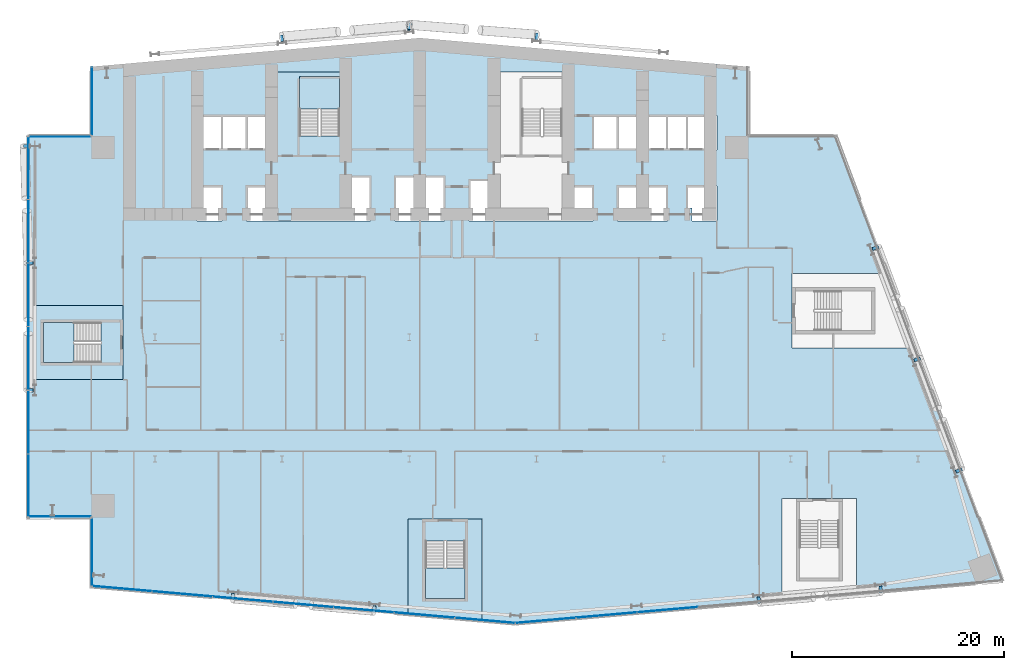
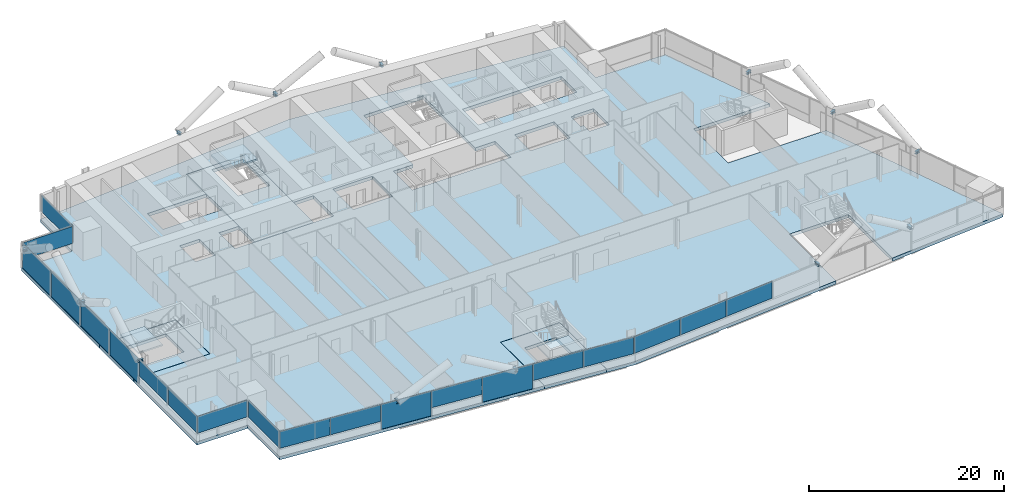
# One storey, part 11 of 27: 20 plates, 14 members, 7 slabs, 10 elements without a shape of their own.
"""IFC4 building model written with IfcOpenShell, lengths in metres."""

from ifc_helpers import new_model, si_unit, direction, frame, origin, origin_2d, place, context, subcontext, project, spatial, polyline, rectangle, i_section, outline, extrude, material, layer, layer_set, material_profile, profile_set, type_object, element, aggregate, save


model = new_model("IFC4")

# Units and contexts
model_context = context("Model", 3, precision=1e-05, world=origin(), true_north=direction((0.0, 1.0)))
body_context = subcontext(model_context, "Body", "Model", "MODEL_VIEW")
ifc_project = project(units=[si_unit("LENGTHUNIT", "METRE"), si_unit("AREAUNIT", "SQUARE_METRE"), si_unit("VOLUMEUNIT", "CUBIC_METRE"), si_unit("PLANEANGLEUNIT", "RADIAN"), si_unit("MASSUNIT", "GRAM", prefix="KILO")], contexts=[model_context])

# Site, building, storey
site_placement = place(None, origin())
site = spatial("IfcSite", under=ifc_project, at=site_placement, CompositionType="ELEMENT")
building_placement = place(site_placement, origin())
building = spatial("IfcBuilding", under=site, at=building_placement, Name="Wharfspan Tower", CompositionType="ELEMENT")
storey_placement = place(building_placement, frame((0.0, 0.0, 45.100098)))
storey = spatial("IfcBuildingStorey", under=building, at=storey_placement, Name="L07", CompositionType="ELEMENT", Elevation=45.100098)

# Members
ifc_material_1 = material(Name="Steel S355J2", Category="steel")
ifc_material_profile = material_profile(ifc_material_1, i_section(OverallWidth=0.300049, OverallDepth=0.300049, WebThickness=0.010986, FlangeThickness=0.019043, FilletRadius=0.0271, at=origin_2d()))
ifc_profile_set = profile_set([ifc_material_profile], Name="Steel S355J2")
member_type = type_object("IfcMemberType", Name="Brace node stub HEB 300", PredefinedType="STRUT", material=ifc_profile_set)
for number, where, z_axis, x_axis, name in (
    (1, (19.37793, -1.181396, 2.899902), (-0.087272, -0.996185, 0.0), (0.996185, -0.087272, 0.0), "Brace node stub L08 S1 A"),
    (2, (32.711182, -2.3479, 2.899902), (-0.086873, -0.996219, 0.0), (0.996219, -0.086873, 0.0), "Brace node stub L08 S1 B"),
    (3, (68.955322, -1.502197, 2.899902), (0.087272, -0.996185, 0.0), (0.996185, 0.087272, 0.0), "Brace node stub L08 S2 A"),
    (4, (80.455322, -0.496094, 2.899902), (0.087272, -0.996185, 0.0), (0.996185, 0.087272, 0.0), "Brace node stub L08 S2 B"),
    (5, (0.511963, 30.0, 2.899902), (-1.0, 0.0, 0.0), (0.0, -1.0, 0.0), "Brace node stub L08 W A"),
    (6, (0.511963, 18.0, 2.899902), (-1.0, 0.0, 0.0), (0.0, -1.0, 0.0), "Brace node stub L08 W B"),
    (7, (0.183838, 41.03418, 2.899902), (-1.0, 0.0, 0.0), (0.0, -1.0, 0.0), "Brace node stub L08 W A"),
    (8, (87.583008, 10.320312, 2.899902), (0.936329, 0.351123, 0.0), (-0.351123, 0.936329, 0.0), "Brace node stub L08 E A"),
    (9, (83.645508, 20.820312, 2.899902), (0.936329, 0.351123, 0.0), (-0.351123, 0.936329, 0.0), "Brace node stub L08 E B"),
    (10, (79.708008, 31.320312, 2.899902), (0.936329, 0.351123, 0.0), (-0.351123, 0.936329, 0.0), "Brace node stub L08 E B"),
    (11, (23.987061, 50.907715, 2.899902), (-0.087272, 0.996185, 0.0), (-0.996185, -0.087272, 0.0), "Brace node stub L08 N1 A"),
    (12, (35.987061, 51.95752, 2.899902), (-0.087272, 0.996185, 0.0), (-0.996185, -0.087272, 0.0), "Brace node stub L08 N1 B"),
    (13, (36.015381, 52.020508, 2.899902), (0.072819, 0.997345, 0.0), (-0.997345, 0.072819, 0.0), "Brace node stub L08 N1 A"),
):
    element("IfcMember", number, at=place(storey_placement, frame(where, z_axis=z_axis, x_axis=x_axis)), inside=storey, type_object=member_type, Name=name, PredefinedType="STRUT", context=body_context, shape_type="SweptSolid", body=[
        extrude(i_section(OverallWidth=0.300049, OverallDepth=0.300049, WebThickness=0.010986, FlangeThickness=0.019043, FilletRadius=0.0271, at=origin_2d()), origin(), (0.0, 0.0, 1.0), 0.606934),
    ])
member_placement = place(storey_placement, frame((48.01123, 51.088623, 2.899902), z_axis=(0.07279, 0.997347, 0.0), x_axis=(-0.997347, 0.07279, 0.0)))
element("IfcMember", 14, at=member_placement, inside=storey, type_object=member_type, Name="Brace node stub L08 N1 B", PredefinedType="STRUT", context=body_context, shape_type="SweptSolid", body=[
    extrude(i_section(OverallWidth=0.300049, OverallDepth=0.300049, WebThickness=0.010986, FlangeThickness=0.019043, FilletRadius=0.0271, at=origin_2d()), origin(), (0.0, 0.0, 1.0), 0.607178),
])

# Curtain wall, plates
ifc_material_2 = material(Name="Aluminium 6063-T6", Category="aluminium")
curtain_wall_type_1 = type_object("IfcCurtainWallType", Name="CURTAIN WALL FACETED FRONT", PredefinedType="NOTDEFINED", material=ifc_material_2)
curtain_wall_1_placement = place(storey_placement, origin())
curtain_wall_1 = element("IfcCurtainWall", 15, at=curtain_wall_1_placement, inside=storey, type_object=curtain_wall_type_1, Name="Curtain wall S1", PredefinedType="NOTDEFINED")
ifc_material_3 = material(Name="Glass clear low-iron double glazing", Category="glass")
ifc_layer_1 = layer(ifc_material_3, 0.040039)
ifc_layer_set_1 = layer_set([ifc_layer_1], Name="Glass clear low-iron double glazing")
plate_type_1 = type_object("IfcPlateType", Name="GLASS PANEL FACETED FRONT 40", PredefinedType="CURTAIN_PANEL", material=ifc_layer_set_1)
plate_1_placement = place(storey_placement, frame((8.877197, -0.716553, 0.999756), z_axis=(0.0, 0.0, 1.0), x_axis=(0.996197, -0.087156, 0.0)))
plate_1 = element("IfcPlate", 16, at=plate_1_placement, type_object=plate_type_1, Name="Curtain wall S1 panel 1", PredefinedType="CURTAIN_PANEL", context=body_context, shape_type="SweptSolid", body=[
    extrude(rectangle(XDim=5.645996, YDim=0.040039, at=origin_2d()), origin(), (0.0, 0.0, 1.0), 2.120117),
])
plate_2_placement = place(storey_placement, frame((14.57666, -1.215088, 0.999756), z_axis=(0.0, 0.0, 1.0), x_axis=(0.996197, -0.087156, 0.0)))
plate_2 = element("IfcPlate", 17, at=plate_2_placement, type_object=plate_type_1, Name="Curtain wall S1 panel 2", PredefinedType="CURTAIN_PANEL", context=body_context, shape_type="SweptSolid", body=[
    extrude(rectangle(XDim=5.676025, YDim=0.040039, at=origin_2d()), origin(), (0.0, 0.0, 1.0), 2.120117),
])
plate_3_placement = place(storey_placement, frame((26.005127, -2.214844, 0.999756), z_axis=(0.0, 0.0, 1.0), x_axis=(0.996197, -0.087156, 0.0)))
plate_3 = element("IfcPlate", 18, at=plate_3_placement, type_object=plate_type_1, Name="Curtain wall S1 panel 4", PredefinedType="CURTAIN_PANEL", context=body_context, shape_type="SweptSolid", body=[
    extrude(rectangle(XDim=5.676025, YDim=0.040039, at=origin_2d()), origin(), (0.0, 0.0, 1.0), 2.120117),
])
plate_4_placement = place(storey_placement, frame((37.433838, -3.214844, 0.999756), z_axis=(0.0, 0.0, 1.0), x_axis=(0.996197, -0.087156, 0.0)))
plate_4 = element("IfcPlate", 19, at=plate_4_placement, type_object=plate_type_1, Name="Curtain wall S1 panel 6", PredefinedType="CURTAIN_PANEL", context=body_context, shape_type="SweptSolid", body=[
    extrude(rectangle(XDim=5.676025, YDim=0.040039, at=origin_2d()), origin(), (0.0, 0.0, 1.0), 2.120117),
])
plate_5_placement = place(storey_placement, frame((43.133057, -3.713379, 0.999756), z_axis=(0.0, 0.0, 1.0), x_axis=(0.996197, -0.087156, 0.0)))
plate_5 = element("IfcPlate", 20, at=plate_5_placement, type_object=plate_type_1, Name="Curtain wall S1 panel 7", PredefinedType="CURTAIN_PANEL", context=body_context, shape_type="SweptSolid", body=[
    extrude(rectangle(XDim=5.645996, YDim=0.040039, at=origin_2d()), origin(), (0.0, 0.0, 1.0), 2.120117),
])

curtain_wall_2_placement = place(storey_placement, origin())
curtain_wall_2 = element("IfcCurtainWall", 21, at=curtain_wall_2_placement, inside=storey, type_object=curtain_wall_type_1, Name="Curtain wall S2", PredefinedType="NOTDEFINED")
plate_6_placement = place(storey_placement, frame((48.884766, -3.711914, 0.999756), z_axis=(0.0, 0.0, 1.0), x_axis=(0.996197, 0.087156, 0.0)))
plate_6 = element("IfcPlate", 22, at=plate_6_placement, type_object=plate_type_1, Name="Curtain wall S2 panel 1", PredefinedType="CURTAIN_PANEL", context=body_context, shape_type="SweptSolid", body=[
    extrude(rectangle(XDim=5.681885, YDim=0.040039, at=origin_2d()), origin(), (0.0, 0.0, 1.0), 2.120117),
])
plate_7_placement = place(storey_placement, frame((54.619873, -3.210205, 0.999756), z_axis=(0.0, 0.0, 1.0), x_axis=(0.996197, 0.087156, 0.0)))
plate_7 = element("IfcPlate", 23, at=plate_7_placement, type_object=plate_type_1, Name="Curtain wall S2 panel 2", PredefinedType="CURTAIN_PANEL", context=body_context, shape_type="SweptSolid", body=[
    extrude(rectangle(XDim=5.711914, YDim=0.040039, at=origin_2d()), origin(), (0.0, 0.0, 1.0), 2.120117),
])
plate_8_placement = place(storey_placement, frame((60.369873, -2.707031, 0.999756), z_axis=(0.0, 0.0, 1.0), x_axis=(0.996197, 0.087156, 0.0)))
plate_8 = element("IfcPlate", 24, at=plate_8_placement, type_object=plate_type_1, Name="Curtain wall S2 panel 3", PredefinedType="CURTAIN_PANEL", context=body_context, shape_type="SweptSolid", body=[
    extrude(rectangle(XDim=5.711914, YDim=0.040039, at=origin_2d()), origin(), (0.0, 0.0, 1.0), 2.120117),
])
aggregate(curtain_wall_2, [plate_6, plate_7, plate_8])

# Curtain wall, plate
curtain_wall_type_2 = type_object("IfcCurtainWallType", Name="CURTAIN WALL PROW AND END", PredefinedType="NOTDEFINED", material=ifc_material_2)
curtain_wall_3_placement = place(storey_placement, origin())
curtain_wall_3 = element("IfcCurtainWall", 25, at=curtain_wall_3_placement, inside=storey, type_object=curtain_wall_type_2, Name="Curtain wall NRW-V", PredefinedType="NOTDEFINED")
ifc_layer_2 = layer(ifc_material_3, 0.040039)
ifc_layer_set_2 = layer_set([ifc_layer_2], Name="Glass clear low-iron double glazing")
plate_type_2 = type_object("IfcPlateType", Name="GLASS PANEL PROW AND END 40", PredefinedType="CURTAIN_PANEL", material=ifc_layer_set_2)
plate_9_placement = place(storey_placement, frame((6.080078, 45.262451, 0.999756), z_axis=(0.0, 0.0, 1.0), x_axis=(0.0, -1.0, 0.0)))
plate_9 = element("IfcPlate", 26, at=plate_9_placement, type_object=plate_type_2, Name="Curtain wall NRW-V panel 1", PredefinedType="CURTAIN_PANEL", context=body_context, shape_type="SweptSolid", body=[
    extrude(rectangle(XDim=6.405029, YDim=0.040039, at=origin_2d()), origin(), (0.0, 0.0, 1.0), 2.120117),
])
aggregate(curtain_wall_3, [plate_9])

curtain_wall_4_placement = place(storey_placement, origin())
curtain_wall_4 = element("IfcCurtainWall", 27, at=curtain_wall_4_placement, inside=storey, type_object=curtain_wall_type_2, Name="Curtain wall NRW-H", PredefinedType="NOTDEFINED")
plate_10_placement = place(storey_placement, frame((3.0, 41.919922, 0.999756), z_axis=(0.0, 0.0, 1.0), x_axis=(-1.0, 0.0, 0.0)))
plate_10 = element("IfcPlate", 28, at=plate_10_placement, type_object=plate_type_2, Name="Curtain wall NRW-H panel 1", PredefinedType="CURTAIN_PANEL", context=body_context, shape_type="SweptSolid", body=[
    extrude(rectangle(XDim=5.879883, YDim=0.040039, at=origin_2d()), origin(), (0.0, 0.0, 1.0), 2.120117),
])
aggregate(curtain_wall_4, [plate_10])

# Curtain wall, plates
curtain_wall_5_placement = place(storey_placement, origin())
curtain_wall_5 = element("IfcCurtainWall", 29, at=curtain_wall_5_placement, inside=storey, type_object=curtain_wall_type_2, Name="Curtain wall W", PredefinedType="NOTDEFINED")
plate_11_placement = place(storey_placement, frame((0.080078, 15.0, 0.999756), z_axis=(0.0, 0.0, 1.0), x_axis=(0.0, -1.0, 0.0)))
plate_11 = element("IfcPlate", 30, at=plate_11_placement, type_object=plate_type_2, Name="Curtain wall W panel 5", PredefinedType="CURTAIN_PANEL", context=body_context, shape_type="SweptSolid", body=[
    extrude(rectangle(XDim=5.939941, YDim=0.040039, at=origin_2d()), origin(), (0.0, 0.0, 1.0), 2.120117),
])
plate_12_placement = place(storey_placement, frame((0.080078, 9.014893, 0.999756), z_axis=(0.0, 0.0, 1.0), x_axis=(0.0, -1.0, 0.0)))
plate_12 = element("IfcPlate", 31, at=plate_12_placement, type_object=plate_type_2, Name="Curtain wall W panel 6", PredefinedType="CURTAIN_PANEL", context=body_context, shape_type="SweptSolid", body=[
    extrude(rectangle(XDim=5.909912, YDim=0.040039, at=origin_2d()), origin(), (0.0, 0.0, 1.0), 2.120117),
])

# Curtain wall, plate
curtain_wall_6_placement = place(storey_placement, origin())
curtain_wall_6 = element("IfcCurtainWall", 32, at=curtain_wall_6_placement, inside=storey, type_object=curtain_wall_type_2, Name="Curtain wall NFW-H", PredefinedType="NOTDEFINED")
plate_13_placement = place(storey_placement, frame((3.0, 6.080078, 0.999756), z_axis=(0.0, 0.0, 1.0), x_axis=(1.0, 0.0, 0.0)))
plate_13 = element("IfcPlate", 33, at=plate_13_placement, type_object=plate_type_2, Name="Curtain wall NFW-H panel 1", PredefinedType="CURTAIN_PANEL", context=body_context, shape_type="SweptSolid", body=[
    extrude(rectangle(XDim=5.879883, YDim=0.040039, at=origin_2d()), origin(), (0.0, 0.0, 1.0), 2.120117),
])
aggregate(curtain_wall_6, [plate_13])

curtain_wall_7_placement = place(storey_placement, origin())
curtain_wall_7 = element("IfcCurtainWall", 34, at=curtain_wall_7_placement, inside=storey, type_object=curtain_wall_type_2, Name="Curtain wall NFW-V", PredefinedType="NOTDEFINED")
plate_14_placement = place(storey_placement, frame((6.080078, 2.737549, 0.999756), z_axis=(0.0, 0.0, 1.0), x_axis=(0.0, -1.0, 0.0)))
plate_14 = element("IfcPlate", 35, at=plate_14_placement, type_object=plate_type_2, Name="Curtain wall NFW-V panel 1", PredefinedType="CURTAIN_PANEL", context=body_context, shape_type="SweptSolid", body=[
    extrude(rectangle(XDim=6.405029, YDim=0.040039, at=origin_2d()), origin(), (0.0, 0.0, 1.0), 2.120117),
])
aggregate(curtain_wall_7, [plate_14])

# Plate
ifc_material_4 = material(Name="Aluminium composite opaque insulated panel", Category="aluminium")
ifc_layer_3 = layer(ifc_material_4, 0.040039)
ifc_layer_set_3 = layer_set([ifc_layer_3], Name="Aluminium composite opaque insulated panel")
plate_type_3 = type_object("IfcPlateType", Name="INFILL PANEL FACETED FRONT OPAQUE 40", PredefinedType="SHEET", material=ifc_layer_set_3)
plate_15_placement = place(storey_placement, frame((20.291016, -1.715088, -0.000244), z_axis=(0.0, 0.0, 1.0), x_axis=(0.996197, -0.087156, 0.0)))
plate_15 = element("IfcPlate", 36, at=plate_15_placement, type_object=plate_type_3, Name="Curtain wall S1 panel 3", PredefinedType="SHEET", context=body_context, shape_type="SweptSolid", body=[
    extrude(rectangle(XDim=5.676025, YDim=0.040039, at=origin_2d()), origin(), (0.0, 0.0, 1.0), 3.120117),
])

plate_16_placement = place(storey_placement, frame((31.719482, -2.714844, -0.000244), z_axis=(0.0, 0.0, 1.0), x_axis=(0.996197, -0.087156, 0.0)))
plate_16 = element("IfcPlate", 37, at=plate_16_placement, type_object=plate_type_3, Name="Curtain wall S1 panel 5", PredefinedType="SHEET", context=body_context, shape_type="SweptSolid", body=[
    extrude(rectangle(XDim=5.676025, YDim=0.040039, at=origin_2d()), origin(), (0.0, 0.0, 1.0), 3.120117),
])

aggregate(curtain_wall_1, [plate_1, plate_2, plate_15, plate_3, plate_16, plate_4, plate_5])

ifc_layer_4 = layer(ifc_material_4, 0.040039)
ifc_layer_set_4 = layer_set([ifc_layer_4], Name="Aluminium composite opaque insulated panel")
plate_type_4 = type_object("IfcPlateType", Name="INFILL PANEL PROW AND END OPAQUE 40", PredefinedType="SHEET", material=ifc_layer_set_4)
plate_17_placement = place(storey_placement, frame((0.080078, 38.985107, -0.000244), z_axis=(0.0, 0.0, 1.0), x_axis=(0.0, -1.0, 0.0)))
plate_17 = element("IfcPlate", 38, at=plate_17_placement, type_object=plate_type_4, Name="Curtain wall W panel 1", PredefinedType="SHEET", context=body_context, shape_type="SweptSolid", body=[
    extrude(rectangle(XDim=5.909912, YDim=0.040039, at=origin_2d()), origin(), (0.0, 0.0, 1.0), 3.120117),
])

plate_18_placement = place(storey_placement, frame((0.080078, 33.0, -0.000244), z_axis=(0.0, 0.0, 1.0), x_axis=(0.0, -1.0, 0.0)))
plate_18 = element("IfcPlate", 39, at=plate_18_placement, type_object=plate_type_4, Name="Curtain wall W panel 2", PredefinedType="SHEET", context=body_context, shape_type="SweptSolid", body=[
    extrude(rectangle(XDim=5.939941, YDim=0.040039, at=origin_2d()), origin(), (0.0, 0.0, 1.0), 3.120117),
])

plate_19_placement = place(storey_placement, frame((0.080078, 27.0, -0.000244), z_axis=(0.0, 0.0, 1.0), x_axis=(0.0, -1.0, 0.0)))
plate_19 = element("IfcPlate", 40, at=plate_19_placement, type_object=plate_type_4, Name="Curtain wall W panel 3", PredefinedType="SHEET", context=body_context, shape_type="SweptSolid", body=[
    extrude(rectangle(XDim=5.939941, YDim=0.040039, at=origin_2d()), origin(), (0.0, 0.0, 1.0), 3.120117),
])

plate_20_placement = place(storey_placement, frame((0.080078, 21.0, -0.000244), z_axis=(0.0, 0.0, 1.0), x_axis=(0.0, -1.0, 0.0)))
plate_20 = element("IfcPlate", 41, at=plate_20_placement, type_object=plate_type_4, Name="Curtain wall W panel 4", PredefinedType="SHEET", context=body_context, shape_type="SweptSolid", body=[
    extrude(rectangle(XDim=5.939941, YDim=0.040039, at=origin_2d()), origin(), (0.0, 0.0, 1.0), 3.120117),
])

aggregate(curtain_wall_5, [plate_17, plate_18, plate_19, plate_20, plate_11, plate_12])

# Slabs
ifc_material_5 = material(Name="Concrete C40/50", Category="concrete")
ifc_layer_5 = layer(ifc_material_5, 0.399902)
ifc_layer_set_5 = layer_set([ifc_layer_5], Name="Concrete C40/50")
slab_type_1 = type_object("IfcSlabType", Name="Post-tensioned flat slab 400", PredefinedType="FLOOR", material=ifc_layer_set_5)
slab_1_placement = place(storey_placement, frame((0.0, 0.0, -0.400146)))
element("IfcSlab", 42, at=slab_1_placement, inside=storey, type_object=slab_type_1, Name="Floor slab L07", PredefinedType="FLOOR", context=body_context, shape_type="SweptSolid", body=[
    extrude(outline(polyline([(35.873291, -3.138428), (35.873291, 5.870605), (42.893311, 5.870605), (42.893311, -3.752686), (46.0, -4.024414), (71.182617, -1.821289), (71.182617, 7.802002), (78.202393, 7.802002), (78.202393, -1.207031), (92.0, 0.0), (83.753662, 21.98999), (72.11499, 21.98999), (72.11499, 29.01001), (81.121338, 29.01001), (76.25, 42.0), (68.0, 42.0), (68.0, 48.524902), (37.0, 51.237061), (6.0, 48.524902), (6.0, 42.0), (0.0, 42.0), (0.0, 26.01001), (9.01001, 26.01001), (9.01001, 18.98999), (0.0, 18.98999), (0.0, 6.0), (6.0, 6.0), (6.0, -0.524902), (35.873291, -3.138428)]), holes=[polyline([(62.290039, 37.159912), (62.656738, 37.159912), (62.656738, 37.26001), (65.01001, 37.26001), (65.01001, 33.98999), (62.656738, 33.98999), (62.656738, 35.189941), (62.290039, 35.189941), (62.290039, 37.159912)]), polyline([(65.01001, 43.909912), (65.01001, 40.689941), (53.323242, 40.689941), (53.323242, 43.909912), (65.01001, 43.909912)]), polyline([(55.656738, 33.98999), (55.656738, 37.26001), (60.343262, 37.26001), (60.343262, 33.98999), (55.656738, 33.98999)]), polyline([(43.98999, 37.860107), (43.98999, 48.01001), (51.01001, 48.01001), (51.01001, 37.26001), (53.343262, 37.26001), (53.343262, 33.98999), (41.656738, 33.98999), (41.656738, 37.860107), (43.98999, 37.860107)]), polyline([(34.656738, 33.98999), (34.656738, 38.159912), (39.343262, 38.159912), (39.343262, 33.98999), (34.656738, 33.98999)]), polyline([(15.98999, 40.689941), (15.98999, 43.909912), (20.656738, 43.909912), (20.676758, 43.909912), (22.98999, 43.909912), (22.98999, 48.01001), (30.01001, 48.01001), (30.01001, 38.159912), (32.343262, 38.159912), (32.343262, 33.98999), (20.656738, 33.98999), (20.656738, 37.26001), (22.98999, 37.26001), (22.98999, 40.689941), (20.676758, 40.689941), (20.656738, 40.689941), (15.98999, 40.689941)]), polyline([(18.343262, 37.26001), (18.343262, 33.98999), (15.98999, 33.98999), (15.98999, 37.26001), (18.343262, 37.26001)])]), origin(), (0.0, 0.0, 1.0), 0.400146),
])
slab_2_placement = place(storey_placement, frame((0.0, 0.0, -0.400146)))
element("IfcSlab", 43, at=slab_2_placement, inside=storey, type_object=slab_type_1, Name="Core floor slab L07 part 1", PredefinedType="FLOOR", context=body_context, shape_type="SweptSolid", body=[
    extrude(outline(polyline([(9.0, 20.324951), (9.0, 24.675049), (9.0, 26.0), (0.0, 26.0), (0.0, 19.0), (9.0, 19.0), (9.0, 20.324951)]), holes=[polyline([(6.9021, 20.625), (6.9021, 20.624756), (6.9021, 20.624512), (6.901855, 20.624512), (6.901855, 20.624268), (6.901855, 20.624023), (6.901611, 20.623779), (6.901611, 20.623779), (6.901367, 20.623535), (6.901367, 20.623535), (6.901123, 20.623291), (6.900879, 20.623291), (6.900879, 20.623291), (6.900635, 20.623047), (6.900391, 20.623047), (6.900146, 20.623047), (6.899902, 20.623047), (1.5, 20.623047), (1.499756, 20.623047), (1.499512, 20.623047), (1.499512, 20.623047), (1.499268, 20.623291), (1.499023, 20.623291), (1.498779, 20.623291), (1.498779, 20.623535), (1.498535, 20.623535), (1.498535, 20.623779), (1.498291, 20.623779), (1.498291, 20.624023), (1.498291, 20.624268), (1.498047, 20.624512), (1.498047, 20.624512), (1.498047, 20.624756), (1.498047, 20.625), (1.498047, 24.375), (1.498047, 24.375244), (1.498047, 24.375488), (1.498047, 24.375488), (1.498291, 24.375732), (1.498291, 24.375977), (1.498291, 24.376221), (1.498535, 24.376221), (1.498535, 24.376465), (1.498779, 24.376465), (1.498779, 24.376709), (1.499023, 24.376709), (1.499268, 24.376709), (1.499512, 24.376953), (1.499512, 24.376953), (1.499756, 24.376953), (1.5, 24.376953), (6.899902, 24.376953), (6.900146, 24.376953), (6.900391, 24.376953), (6.900635, 24.376953), (6.900879, 24.376709), (6.900879, 24.376709), (6.901123, 24.376709), (6.901367, 24.376465), (6.901367, 24.376465), (6.901611, 24.376221), (6.901611, 24.376221), (6.901855, 24.375977), (6.901855, 24.375732), (6.901855, 24.375488), (6.9021, 24.375488), (6.9021, 24.375244), (6.9021, 24.375), (6.9021, 20.625)])]), origin(), (0.0, 0.0, 1.0), 0.400146),
])
slab_3_placement = place(storey_placement, frame((0.0, 0.0, -0.400146)))
element("IfcSlab", 44, at=slab_3_placement, inside=storey, type_object=slab_type_1, Name="Core floor slab L07 part 2", PredefinedType="FLOOR", context=body_context, shape_type="SweptSolid", body=[
    extrude(outline(polyline([(20.664795, 34.0), (20.664795, 37.25), (20.664795, 37.250244), (20.664795, 37.250488), (20.664795, 37.250488), (20.664795, 37.250732), (20.664795, 37.250977), (20.665039, 37.251221), (20.665039, 37.251221), (20.665283, 37.251465), (20.665283, 37.251465), (20.665527, 37.251709), (20.665771, 37.251709), (20.666016, 37.251709), (20.666016, 37.251953), (20.66626, 37.251953), (20.666504, 37.251953), (20.666748, 37.251953), (23.0, 37.251953), (23.000244, 37.251953), (23.000488, 37.251953), (23.000488, 37.251953), (23.000732, 37.251709), (23.000977, 37.251709), (23.001221, 37.251709), (23.001221, 37.251465), (23.001465, 37.251465), (23.001465, 37.251221), (23.001709, 37.251221), (23.001709, 37.250977), (23.001709, 37.250732), (23.001953, 37.250488), (23.001953, 37.250488), (23.001953, 37.250244), (23.001953, 37.25), (23.001953, 34.0), (29.998047, 34.0), (29.998047, 38.149902), (29.998047, 38.150146), (29.998047, 38.150391), (29.998047, 38.150635), (29.998291, 38.150879), (29.998291, 38.150879), (29.998291, 38.151123), (29.998535, 38.151367), (29.998535, 38.151367), (29.998779, 38.151611), (29.998779, 38.151611), (29.999023, 38.151855), (29.999268, 38.151855), (29.999512, 38.151855), (29.999512, 38.1521), (29.999756, 38.1521), (30.0, 38.1521), (32.333252, 38.1521), (32.333496, 38.1521), (32.33374, 38.1521), (32.333984, 38.151855), (32.333984, 38.151855), (32.334229, 38.151855), (32.334473, 38.151611), (32.334717, 38.151611), (32.334717, 38.151367), (32.334961, 38.151367), (32.334961, 38.151123), (32.335205, 38.150879), (32.335205, 38.150879), (32.335205, 38.150635), (32.335205, 38.150391), (32.335205, 38.150146), (32.335205, 38.149902), (32.335205, 34.0), (32.341309, 34.0), (32.341309, 38.157959), (30.01001, 38.157959), (30.009766, 38.157959), (30.009521, 38.157959), (30.009521, 38.158203), (30.009277, 38.158203), (30.009033, 38.158203), (30.008789, 38.158203), (30.008789, 38.158447), (30.008545, 38.158691), (30.008545, 38.158691), (30.008301, 38.158936), (30.008301, 38.15918), (30.008301, 38.15918), (30.008057, 38.159424), (30.008057, 38.159668), (30.008057, 38.159912), (30.008057, 38.159912), (30.008057, 48.008057), (22.991943, 48.008057), (22.991943, 43.909912), (22.991943, 43.909912), (22.991943, 43.909668), (22.991943, 43.909424), (22.991699, 43.90918), (22.991699, 43.90918), (22.991699, 43.908936), (22.991455, 43.908691), (22.991455, 43.908691), (22.991211, 43.908447), (22.991211, 43.908203), (22.990967, 43.908203), (22.990723, 43.908203), (22.990479, 43.908203), (22.990479, 43.907959), (22.990234, 43.907959), (22.98999, 43.907959), (15.991943, 43.907959), (15.991943, 40.691895), (22.98999, 40.691895), (22.990234, 40.691895), (22.990479, 40.691895), (22.990479, 40.691895), (22.990723, 40.691895), (22.990967, 40.691895), (22.991211, 40.69165), (22.991211, 40.691406), (22.991455, 40.691406), (22.991455, 40.691406), (22.991699, 40.691162), (22.991699, 40.690918), (22.991699, 40.690918), (22.991943, 40.690674), (22.991943, 40.69043), (22.991943, 40.690186), (22.991943, 40.689941), (22.991943, 37.26001), (22.991943, 37.259766), (22.991943, 37.259521), (22.991943, 37.259521), (22.991699, 37.259277), (22.991699, 37.259033), (22.991699, 37.258789), (22.991455, 37.258789), (22.991455, 37.258545), (22.991211, 37.258545), (22.991211, 37.258301), (22.990967, 37.258301), (22.990723, 37.258301), (22.990479, 37.258057), (22.990479, 37.258057), (22.990234, 37.258057), (22.98999, 37.258057), (20.658691, 37.258057), (20.658691, 34.0), (20.664795, 34.0)]), holes=[polyline([(29.4021, 42.0), (29.4021, 41.999756), (29.4021, 41.999512), (29.401855, 41.999512), (29.401855, 41.999268), (29.401855, 41.999023), (29.401611, 41.998779), (29.401611, 41.998779), (29.401367, 41.998535), (29.401367, 41.998535), (29.401123, 41.998291), (29.400879, 41.998291), (29.400879, 41.998291), (29.400635, 41.998047), (29.400391, 41.998047), (29.400146, 41.998047), (29.399902, 41.998047), (25.649902, 41.998047), (25.649902, 41.998047), (25.649658, 41.998047), (25.649414, 41.998047), (25.64917, 41.998291), (25.64917, 41.998291), (25.648926, 41.998291), (25.648682, 41.998535), (25.648682, 41.998535), (25.648438, 41.998779), (25.648193, 41.998779), (25.648193, 41.999023), (25.648193, 41.999268), (25.648193, 41.999512), (25.647949, 41.999512), (25.647949, 41.999756), (25.647949, 42.0), (25.647949, 47.399902), (25.647949, 47.400146), (25.647949, 47.400391), (25.648193, 47.400635), (25.648193, 47.400879), (25.648193, 47.400879), (25.648193, 47.401123), (25.648438, 47.401367), (25.648682, 47.401367), (25.648682, 47.401611), (25.648926, 47.401611), (25.64917, 47.401855), (25.64917, 47.401855), (25.649414, 47.401855), (25.649658, 47.4021), (25.649902, 47.4021), (25.649902, 47.4021), (29.399902, 47.4021), (29.400146, 47.4021), (29.400391, 47.4021), (29.400635, 47.401855), (29.400879, 47.401855), (29.400879, 47.401855), (29.401123, 47.401611), (29.401367, 47.401611), (29.401367, 47.401367), (29.401611, 47.401367), (29.401611, 47.401123), (29.401855, 47.400879), (29.401855, 47.400879), (29.401855, 47.400635), (29.4021, 47.400391), (29.4021, 47.400146), (29.4021, 47.399902), (29.4021, 42.0)]), polyline([(16.0, 40.697998), (15.999756, 40.697998), (15.999512, 40.697998), (15.999512, 40.697998), (15.999268, 40.698242), (15.999023, 40.698242), (15.998779, 40.698242), (15.998779, 40.698486), (15.998535, 40.698486), (15.998535, 40.69873), (15.998291, 40.698975), (15.998291, 40.699219), (15.998291, 40.699219), (15.998047, 40.699463), (15.998047, 40.699707), (15.998047, 40.699707), (15.998047, 40.699951), (15.998047, 43.899902), (15.998047, 43.900146), (15.998047, 43.900391), (15.998047, 43.900635), (15.998291, 43.900879), (15.998291, 43.900879), (15.998291, 43.901123), (15.998535, 43.901367), (15.998535, 43.901367), (15.998779, 43.901611), (15.998779, 43.901611), (15.999023, 43.901855), (15.999268, 43.901855), (15.999512, 43.901855), (15.999512, 43.9021), (15.999756, 43.9021), (16.0, 43.9021), (20.666748, 43.9021), (20.666748, 43.9021), (23.0, 43.9021), (23.000244, 43.9021), (23.000488, 43.9021), (23.000488, 43.901855), (23.000732, 43.901855), (23.000977, 43.901855), (23.001221, 43.901611), (23.001221, 43.901611), (23.001465, 43.901367), (23.001465, 43.901367), (23.001709, 43.901123), (23.001709, 43.900879), (23.001709, 43.900879), (23.001953, 43.900635), (23.001953, 43.900391), (23.001953, 43.900146), (23.001953, 43.899902), (23.001953, 40.699951), (23.001953, 40.699707), (23.001953, 40.699707), (23.001953, 40.699463), (23.001709, 40.699219), (23.001709, 40.699219), (23.001709, 40.698975), (23.001465, 40.69873), (23.001465, 40.698486), (23.001221, 40.698486), (23.001221, 40.698242), (23.000977, 40.698242), (23.000732, 40.698242), (23.000488, 40.697998), (23.000488, 40.697998), (23.000244, 40.697998), (23.0, 40.697998), (20.666748, 40.697998), (20.666748, 40.697998), (16.0, 40.697998)])]), origin(), (0.0, 0.0, 1.0), 0.400146),
])
slab_4_placement = place(storey_placement, frame((0.0, 0.0, -0.400146)))
element("IfcSlab", 45, at=slab_4_placement, inside=storey, type_object=slab_type_1, Name="Core floor slab L07 part 3", PredefinedType="FLOOR", context=body_context, shape_type="SweptSolid", body=[
    extrude(outline(polyline([(41.55835, 5.860596), (37.208252, 5.860596), (35.883301, 5.860596), (35.883301, -3.139404), (42.883301, -3.751709), (42.883301, 5.860596), (41.55835, 5.860596)]), holes=[polyline([(37.506348, 3.760498), (37.506348, 3.760742), (37.506348, 3.760986), (37.506348, 3.76123), (37.506592, 3.761475), (37.506592, 3.761719), (37.506592, 3.761719), (37.506836, 3.761963), (37.506836, 3.761963), (37.50708, 3.762207), (37.50708, 3.762207), (37.507324, 3.762451), (37.507568, 3.762451), (37.507812, 3.762451), (37.507812, 3.762695), (37.508057, 3.762695), (37.508301, 3.762695), (41.258301, 3.762695), (41.258545, 3.762695), (41.258789, 3.762695), (41.258789, 3.762451), (41.259033, 3.762451), (41.259277, 3.762451), (41.259521, 3.762207), (41.259521, 3.762207), (41.259766, 3.761963), (41.26001, 3.761963), (41.26001, 3.761719), (41.26001, 3.761719), (41.260254, 3.761475), (41.260254, 3.76123), (41.260254, 3.760986), (41.260254, 3.760742), (41.260254, 3.760498), (41.260254, -1.639404), (41.260254, -1.639648), (41.260254, -1.639893), (41.260254, -1.639893), (41.260254, -1.640137), (41.26001, -1.640381), (41.26001, -1.640381), (41.26001, -1.640625), (41.259766, -1.640869), (41.259521, -1.640869), (41.259521, -1.641113), (41.259277, -1.641113), (41.259033, -1.641113), (41.258789, -1.641357), (41.258789, -1.641357), (41.258545, -1.641357), (41.258301, -1.641357), (37.508301, -1.641357), (37.508057, -1.641357), (37.507812, -1.641357), (37.507812, -1.641357), (37.507568, -1.641113), (37.507324, -1.641113), (37.50708, -1.641113), (37.50708, -1.640869), (37.506836, -1.640869), (37.506836, -1.640625), (37.506592, -1.640381), (37.506592, -1.640381), (37.506592, -1.640137), (37.506348, -1.639893), (37.506348, -1.639893), (37.506348, -1.639648), (37.506348, -1.639404), (37.506348, 3.760498)])]), origin(), (0.0, 0.0, 1.0), 0.400146),
])

# Stair, slab
stair_type = type_object("IfcStairType", Name="Half-turn stair 20 risers 180 mm", PredefinedType="HALF_TURN_STAIR", material=ifc_material_5)
stair_1_placement = place(storey_placement, origin())
stair_1 = element("IfcStair", 46, at=stair_1_placement, inside=storey, type_object=stair_type, Name="L07 stair ST1", PredefinedType="HALF_TURN_STAIR")
ifc_layer_6 = layer(ifc_material_5, 0.199951)
ifc_layer_set_6 = layer_set([ifc_layer_6], Name="Concrete C40/50")
slab_type_2 = type_object("IfcSlabType", Name="Stair landing 200", PredefinedType="LANDING", material=ifc_layer_set_6)
slab_5_placement = place(storey_placement, frame((0.0, 0.0, 1.599609)))
slab_5 = element("IfcSlab", 47, at=slab_5_placement, type_object=slab_type_2, Name="ST1 landing 1", PredefinedType="LANDING", context=body_context, shape_type="SweptSolid", body=[
    extrude(outline(polyline([(25.649902, 44.52002), (29.399902, 44.52002), (29.399902, 47.582764), (25.649902, 47.582764), (25.649902, 44.52002)])), origin(), (0.0, 0.0, 1.0), 0.200195),
])
aggregate(stair_1, [slab_5])

stair_2_placement = place(storey_placement, origin())
stair_2 = element("IfcStair", 48, at=stair_2_placement, inside=storey, type_object=stair_type, Name="L07 stair ST3", PredefinedType="HALF_TURN_STAIR")
slab_6_placement = place(storey_placement, frame((0.0, 0.0, 1.599609)))
slab_6 = element("IfcSlab", 49, at=slab_6_placement, type_object=slab_type_2, Name="ST3 landing 1", PredefinedType="LANDING", context=body_context, shape_type="SweptSolid", body=[
    extrude(outline(polyline([(4.379883, 24.375), (1.5, 24.375), (1.5, 20.625), (4.379883, 20.625), (4.379883, 24.375)])), origin(), (0.0, 0.0, 1.0), 0.200195),
])
aggregate(stair_2, [slab_6])

stair_3_placement = place(storey_placement, origin())
stair_3 = element("IfcStair", 50, at=stair_3_placement, inside=storey, type_object=stair_type, Name="L07 stair ST4", PredefinedType="HALF_TURN_STAIR")
slab_7_placement = place(storey_placement, frame((0.0, 0.0, 1.599609)))
slab_7 = element("IfcSlab", 51, at=slab_7_placement, type_object=slab_type_2, Name="ST4 landing 1", PredefinedType="LANDING", context=body_context, shape_type="SweptSolid", body=[
    extrude(outline(polyline([(37.508301, 1.240723), (37.508301, -1.639404), (41.258301, -1.639404), (41.258301, 1.240723), (37.508301, 1.240723)])), origin(), (0.0, 0.0, 1.0), 0.200195),
])
aggregate(stair_3, [slab_7])

save(model, "model.ifc")
